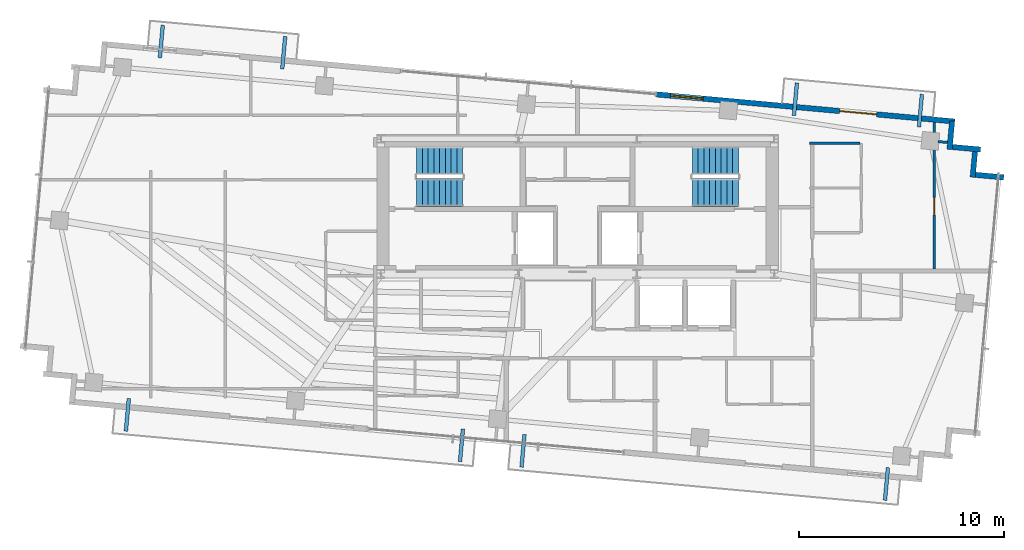
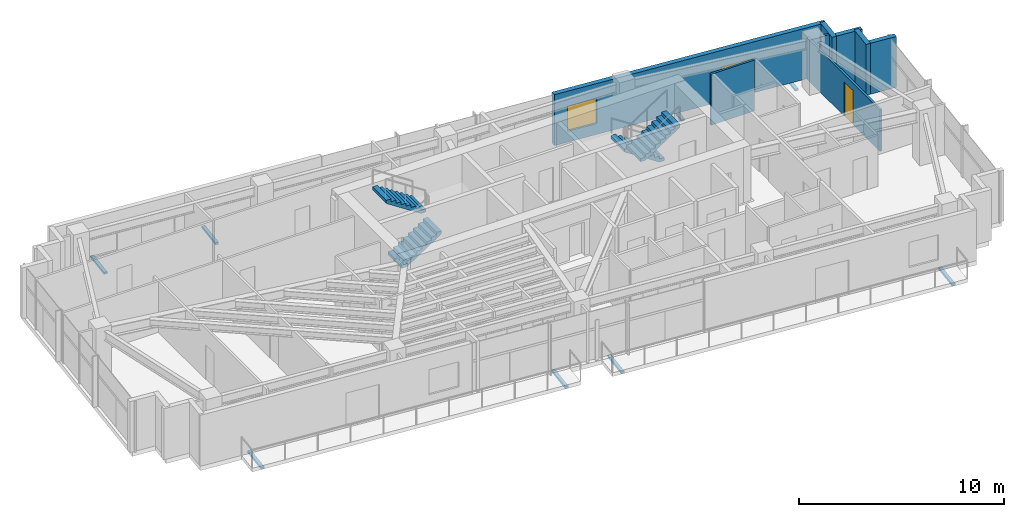
# One storey, part 19 of 22: 8 discrete accessories, 8 walls, 4 stair flights, 2 doors, 1 window, 3 openings, 2 elements without a shape of their own.
"""IFC4 building model written with IfcOpenShell, lengths in metres."""

import ifcopenshell
import ifcopenshell.guid

model = None  # the IFC model being written
_history = None  # IfcOwnerHistory: only IFC2X3 demands one
_inside = {}  # id of a spatial element -> (the spatial element, [elements in it])
_under = {}  # id of a project, library or spatial element -> (it, [spatial elements below it])
_declared = {}  # id of a project -> (the project, [libraries it declares])
_typed = {}  # id of a type object -> (the type object, [elements of that type])
_made_of = {}  # id of a material, layer set ... -> (it, [elements and type objects made of it])


def new_model(schema):
    """Start an empty IFC model of exactly this schema.

    Asked for "IFC4X3", IfcOpenShell would pick the latest addendum, in which some entities
    have other attributes; the version numbers below select the first issue.
    IFC2X3 requires an IfcOwnerHistory on every rooted entity: one is made here for all.
    """
    global model, _history
    if schema == "IFC4X3":
        model = ifcopenshell.file(schema_version=(4, 3, 0, 0))
    else:
        model = ifcopenshell.file(schema=schema)
    _inside.clear()
    _under.clear()
    _declared.clear()
    _typed.clear()
    _made_of.clear()
    _history = None
    if model.schema == "IFC2X3":
        org = make("IfcOrganization", Name="unknown")
        user = make(
            "IfcPersonAndOrganization",
            ThePerson=make("IfcPerson", FamilyName="unknown"),
            TheOrganization=org,
        )
        app = make(
            "IfcApplication",
            ApplicationDeveloper=org,
            Version="unknown",
            ApplicationFullName="unknown",
            ApplicationIdentifier="unknown",
        )
        _history = make(
            "IfcOwnerHistory",
            OwningUser=user,
            OwningApplication=app,
            ChangeAction="ADDED",
            CreationDate=0,
        )
    return model


def make(cls, **values):
    """One entity of the class cls with the attributes given. An attribute that is None is left unset."""
    return model.create_entity(
        cls, **{name: value for name, value in values.items() if value is not None}
    )


def rooted(cls, **values):
    """An entity with a GlobalId (a new one), such as an element, a storey or a relation."""
    return make(cls, GlobalId=ifcopenshell.guid.new(), OwnerHistory=_history, **values)


def si_unit(unit_type, name, prefix=None):
    """IfcSIUnit, for example si_unit("LENGTHUNIT", "METRE", prefix="MILLI")."""
    return make("IfcSIUnit", UnitType=unit_type, Prefix=prefix, Name=name)


def assignment(units):
    """IfcUnitAssignment: the units of a project."""
    return None if units is None else make("IfcUnitAssignment", Units=units)


def point(xyz):
    """IfcCartesianPoint."""
    return None if xyz is None else make("IfcCartesianPoint", Coordinates=xyz)


def direction(xyz):
    """IfcDirection."""
    return None if xyz is None else make("IfcDirection", DirectionRatios=xyz)


def frame(location, z_axis=None, x_axis=None):
    """IfcAxis2Placement3D, a coordinate frame: its origin and axes. An axis left out is left unset."""
    return make(
        "IfcAxis2Placement3D",
        Location=point(location),
        Axis=direction(z_axis),
        RefDirection=direction(x_axis),
    )


def frame_2d(location, x_axis=None):
    """IfcAxis2Placement2D, a coordinate frame in the plane: its origin and x axis."""
    return make(
        "IfcAxis2Placement2D", Location=point(location), RefDirection=direction(x_axis)
    )


def origin():
    """The frame at (0, 0, 0) with its axes left unset."""
    return frame((0.0, 0.0, 0.0))


def origin_2d():
    """The frame at (0, 0) in the plane with its x axis left unset."""
    return frame_2d((0.0, 0.0))


def place(relative_to, where):
    """IfcLocalPlacement: puts the frame where relative to a parent placement (None: the world)."""
    return make(
        "IfcLocalPlacement", PlacementRelTo=relative_to, RelativePlacement=where
    )


def context(
    kind, dimensions, precision=None, world=None, true_north=None, identifier=None
):
    """IfcGeometricRepresentationContext, for example the 3D "Model" context."""
    return make(
        "IfcGeometricRepresentationContext",
        ContextIdentifier=identifier,
        ContextType=kind,
        CoordinateSpaceDimension=dimensions,
        Precision=precision,
        WorldCoordinateSystem=world,
        TrueNorth=true_north,
    )


def subcontext(parent, identifier, kind, view, scale=None):
    """IfcGeometricRepresentationSubContext, for example "Body" below "Model"."""
    return make(
        "IfcGeometricRepresentationSubContext",
        ContextIdentifier=identifier,
        ContextType=kind,
        ParentContext=parent,
        TargetScale=scale,
        TargetView=view,
    )


def project(units=None, contexts=None):
    """IfcProject with its units and contexts."""
    return rooted(
        "IfcProject",
        Name="project",
        RepresentationContexts=contexts,
        UnitsInContext=assignment(units),
    )


def spatial(cls, under=None, at=None, **own):
    """A site, building, storey or space (cls), placed at a placement, below another one or the project."""
    s = rooted(cls, ObjectPlacement=at, **own)
    if under is not None:
        _under.setdefault(under.id(), (under, []))[1].append(s)
    return s


def polyline(points):
    """IfcPolyline through the points."""
    return make("IfcPolyline", Points=[point(p) for p in points])


def profile(cls, at=None, kind="AREA", **sizes):
    """A parametric profile (cls). Its sizes go by their IFC names, for example OverallWidth=200.0."""
    return make(cls, ProfileType=kind, Position=at, **sizes)


def rectangle(**sizes):
    """IfcRectangleProfileDef."""
    return profile("IfcRectangleProfileDef", **sizes)


def outline(outer, holes=None, kind="AREA"):
    """IfcArbitraryClosedProfileDef: a profile drawn as a closed curve; with holes, ...WithVoids."""
    if holes is None:
        return make("IfcArbitraryClosedProfileDef", ProfileType=kind, OuterCurve=outer)
    return make(
        "IfcArbitraryProfileDefWithVoids",
        ProfileType=kind,
        OuterCurve=outer,
        InnerCurves=holes,
    )


def extrude(swept, where, along, depth):
    """IfcExtrudedAreaSolid: the profile swept, set in the frame where, extruded along a direction by depth."""
    return make(
        "IfcExtrudedAreaSolid",
        SweptArea=swept,
        Position=where,
        ExtrudedDirection=direction(along),
        Depth=depth,
    )


def shape(context_of_items, identifier, shape_type, items):
    """IfcShapeRepresentation: the items that make up one representation, for example the "Body"."""
    return make(
        "IfcShapeRepresentation",
        ContextOfItems=context_of_items,
        RepresentationIdentifier=identifier,
        RepresentationType=shape_type,
        Items=items,
    )


def source(mapping_origin, context_of_items, identifier, shape_type, items):
    """IfcRepresentationMap: a shape defined once, which mapped items show again and again."""
    return make(
        "IfcRepresentationMap",
        MappingOrigin=mapping_origin,
        MappedRepresentation=shape(context_of_items, identifier, shape_type, items),
    )


def transform(
    local_origin,
    x_axis=None,
    y_axis=None,
    z_axis=None,
    scale=None,
    scale2=None,
    scale3=None,
    uniform=True,
):
    """IfcCartesianTransformationOperator3D, or its non-uniform kind. x_axis, y_axis, z_axis: its Axis1, 2, 3."""
    if uniform:
        return make(
            "IfcCartesianTransformationOperator3D",
            Axis1=direction(x_axis),
            Axis2=direction(y_axis),
            LocalOrigin=point(local_origin),
            Scale=scale,
            Axis3=direction(z_axis),
        )
    return make(
        "IfcCartesianTransformationOperator3DnonUniform",
        Axis1=direction(x_axis),
        Axis2=direction(y_axis),
        LocalOrigin=point(local_origin),
        Scale=scale,
        Axis3=direction(z_axis),
        Scale2=scale2,
        Scale3=scale3,
    )


def mapped(mapping_source, mapping_target):
    """IfcMappedItem: shows the shape of a source again, moved by a transform."""
    return make(
        "IfcMappedItem", MappingSource=mapping_source, MappingTarget=mapping_target
    )


def material(Name=None, Category=None):
    """IfcMaterial."""
    return make("IfcMaterial", Name=Name, Category=Category)


def layer(
    of_material, thickness, ventilated=None, Name=None, Category=None, Priority=None
):
    """IfcMaterialLayer: one layer of a wall or slab, of a material (None: an air gap)."""
    return make(
        "IfcMaterialLayer",
        Material=of_material,
        LayerThickness=thickness,
        IsVentilated=ventilated,
        Name=Name,
        Category=Category,
        Priority=Priority,
    )


def layer_set(layers, Name=None):
    """IfcMaterialLayerSet."""
    return make("IfcMaterialLayerSet", MaterialLayers=layers, LayerSetName=Name)


def made_of(thing, what):
    """Note that an element or type object is made of a material, layer set ...; save() writes the relation."""
    if what is not None:
        _made_of.setdefault(what.id(), (what, []))[1].append(thing)
    return thing


def type_object(cls, material=None, **own):
    """A type object (cls), such as IfcWallType, which elements share."""
    return made_of(rooted(cls, **own), material)


def type_shapes(of_type, sources):
    """Give a type object the sources (RepresentationMaps) that its elements show as mapped items."""
    of_type.RepresentationMaps = sources


def element(
    cls,
    number,
    at=None,
    inside=None,
    cuts=None,
    type_object=None,
    material=None,
    context=None,
    identifier="Body",
    shape_type=None,
    held_by="IfcProductDefinitionShape",
    body=None,
    shapes=None,
    **own,
):
    """One element of the class cls, such as IfcWall. Its Tag is "e" and its number.

    at: its placement. inside: the storey or other place that contains it. cuts: it is an
    opening in that element (IfcRelVoidsElement). A single representation is given by context,
    identifier, shape_type and body (its items); several are given by shapes. held_by: the class
    of the entity that holds the representations. save() writes the other relations.
    """
    e = rooted(cls, Tag="e%d" % number, ObjectPlacement=at, **own)
    if body is not None:
        shapes = [shape(context, identifier, shape_type, body)]
    if shapes is not None:
        e.Representation = make(held_by, Representations=shapes)
    if inside is not None:
        _inside.setdefault(inside.id(), (inside, []))[1].append(e)
    if cuts is not None:
        rooted(
            "IfcRelVoidsElement", RelatingBuildingElement=cuts, RelatedOpeningElement=e
        )
    if type_object is not None:
        _typed.setdefault(type_object.id(), (type_object, []))[1].append(e)
    return made_of(e, material)


def fill(opening, filler):
    """IfcRelFillsElement: the door or window that sits in an opening."""
    return rooted(
        "IfcRelFillsElement",
        RelatingOpeningElement=opening,
        RelatedBuildingElement=filler,
    )


def aggregate(whole, parts):
    """IfcRelAggregates: a whole, such as a stair, and the parts it consists of."""
    return rooted("IfcRelAggregates", RelatingObject=whole, RelatedObjects=parts)


def save(model, path):
    """Write the relations noted so far, then the file.

    IfcRelAggregates (storeys below a building ...), IfcRelContainedInSpatialStructure (elements
    in a storey), IfcRelDefinesByType, IfcRelAssociatesMaterial and IfcRelDeclares: one each for
    every whole, place, type object, material and project.
    """
    for whole, parts in _under.values():
        aggregate(whole, parts)
    for where, things in _inside.values():
        rooted(
            "IfcRelContainedInSpatialStructure",
            RelatedElements=things,
            RelatingStructure=where,
        )
    for kind, things in _typed.values():
        rooted("IfcRelDefinesByType", RelatedObjects=things, RelatingType=kind)
    for what, things in _made_of.values():
        rooted("IfcRelAssociatesMaterial", RelatedObjects=things, RelatingMaterial=what)
    for by, libraries in _declared.values():
        rooted("IfcRelDeclares", RelatingContext=by, RelatedDefinitions=libraries)
    model.write(path)


model = new_model("IFC4")

# Units and contexts
model_context = context("Model", 3, precision=1e-05, world=origin(), true_north=direction((0.0, 1.0)))
body_context = subcontext(model_context, "Body", "Model", "MODEL_VIEW")
ifc_project = project(units=[si_unit("LENGTHUNIT", "METRE"), si_unit("AREAUNIT", "SQUARE_METRE"), si_unit("VOLUMEUNIT", "CUBIC_METRE"), si_unit("PLANEANGLEUNIT", "RADIAN"), si_unit("MASSUNIT", "GRAM", prefix="KILO")], contexts=[model_context])

# Site, building, storey
site_placement = place(None, origin())
site = spatial("IfcSite", under=ifc_project, at=site_placement, CompositionType="ELEMENT")
building_placement = place(site_placement, origin())
building = spatial("IfcBuilding", under=site, at=building_placement, Name="Astriad Promenade Condominiums", CompositionType="ELEMENT")
storey_placement = place(building_placement, frame((0.0, 0.0, 236.39990234375)))
storey = spatial("IfcBuildingStorey", under=building, at=storey_placement, Name="L68", CompositionType="ELEMENT", Elevation=236.39990234375)

# Wall, openings, door, window
ifc_material_1 = material(Name="Precast concrete C50/60", Category="concrete")
ifc_layer_1 = layer(ifc_material_1, 0.260009765625)
ifc_layer_set_1 = layer_set([ifc_layer_1], Name="Precast concrete C50/60")
wall_type_1 = type_object("IfcWallType", Name="WALL-EXT-TWR-260", PredefinedType="STANDARD", material=ifc_layer_set_1)
wall_1_placement = place(storey_placement, frame((39.839111328125, 26.16552734375, 0.0), z_axis=(0.0, 0.0, 1.0), x_axis=(0.995884447498, -0.090632043071, 0.0)))
wall_1 = element("IfcWall", 1, at=wall_1_placement, inside=storey, type_object=wall_type_1, Name="W-EXT-L68-N2", PredefinedType="STANDARD", context=body_context, shape_type="SweptSolid", body=[
    extrude(rectangle(XDim=14.6298828125, YDim=0.260009765625, at=frame_2d((7.31494140625, 0.0))), origin(), (0.0, 0.0, 1.0), 3.0400390625),
])
opening_1_placement = place(wall_1_placement, frame((9.0, 0.0, 0.0)))
opening_1 = element("IfcOpeningElement", 2, at=opening_1_placement, cuts=wall_1, Name="Opening BD-1822-SLD", PredefinedType="OPENING", context=body_context, shape_type="SweptSolid", body=[
    extrude(rectangle(XDim=1.800048828125, YDim=2.06005859375, at=frame_2d((0.89990234375, 1.030029296875))), frame((0.0, 0.139892578125, 0.0), z_axis=(0.0, -1.0, 0.0), x_axis=(1.0, 0.0, 0.0)), (0.0, 0.0, 1.0), 0.280029296875),
])
opening_2_placement = place(wall_1_placement, frame((0.699951171875, 0.0, 0.64990234375)))
opening_2 = element("IfcOpeningElement", 3, at=opening_2_placement, cuts=wall_1, Name="Opening WIN-TWR-1620", PredefinedType="OPENING", context=body_context, shape_type="SweptSolid", body=[
    extrude(rectangle(XDim=1.60009765625, YDim=1.5, at=frame_2d((0.800048828125, 0.75))), frame((0.0, 0.139892578125, 0.0), z_axis=(0.0, -1.0, 0.0), x_axis=(1.0, 0.0, 0.0)), (0.0, 0.0, 1.0), 0.280029296875),
])
ifc_material_2 = material(Name="Thermally Broken Aluminium Sliding Balcony Door", Category="aluminium")
door_type_1 = type_object("IfcDoorType", Name="BD-1822-SLD", OperationType="NOTDEFINED", PredefinedType="DOOR", material=ifc_material_2)
shared_shape_1 = source(origin(), body_context, "Body", "SweptSolid", [
    extrude(rectangle(XDim=1.800048828125, YDim=2.06005859375, at=frame_2d((0.89990234375, 1.030029296875))), frame((0.0, 0.02490234375, 0.0), z_axis=(0.0, -1.0, 0.0), x_axis=(1.0, 0.0, 0.0)), (0.0, 0.0, 1.0), 0.050048828125),
])
type_shapes(door_type_1, [shared_shape_1])
door_1_placement = place(opening_1_placement, origin())
door_1 = element("IfcDoor", 4, at=door_1_placement, inside=storey, type_object=door_type_1, Name="BD-L68-NE", OperationType="SLIDING_TO_RIGHT", OverallHeight=2.06005859375, OverallWidth=1.800048828125, PredefinedType="DOOR", context=body_context, shape_type="MappedRepresentation", body=[
    mapped(shared_shape_1, transform((0.0, 0.0, 0.0), scale=1.0)),
])
fill(opening_1, door_1)
ifc_material_3 = material(Name="Dark Tinted Triple-Glazed Aluminium Window", Category="aluminium")
window_type = type_object("IfcWindowType", Name="WIN-TWR-1620", PartitioningType="SINGLE_PANEL", PredefinedType="WINDOW", material=ifc_material_3)
shared_shape_2 = source(origin(), body_context, "Body", "SweptSolid", [
    extrude(rectangle(XDim=1.60009765625, YDim=1.5, at=frame_2d((0.800048828125, 0.75))), frame((0.0, 0.030029296875, 0.0), z_axis=(0.0, -1.0, 0.0), x_axis=(1.0, 0.0, 0.0)), (0.0, 0.0, 1.0), 0.06005859375),
])
type_shapes(window_type, [shared_shape_2])
window_placement = place(opening_2_placement, origin())
window = element("IfcWindow", 5, at=window_placement, inside=storey, type_object=window_type, Name="WIN-L68-NE", OverallHeight=1.5, OverallWidth=1.60009765625, PartitioningType="SINGLE_PANEL", PredefinedType="WINDOW", context=body_context, shape_type="MappedRepresentation", body=[
    mapped(shared_shape_2, transform((0.0, 0.0, 0.0), scale=1.0)),
])
fill(opening_2, window)

# Walls
wall_2_placement = place(storey_placement, frame((54.28076171875, 24.866455078125, 0.0), z_axis=(0.0, 0.0, 1.0), x_axis=(-0.090661991521, -0.995881721538, 0.0)))
element("IfcWall", 6, at=wall_2_placement, inside=storey, type_object=wall_type_1, Name="W-SER-L68-09", PredefinedType="STANDARD", context=body_context, shape_type="SweptSolid", body=[
    extrude(rectangle(XDim=1.39501953125, YDim=0.260009765625, at=frame_2d((0.697509765625, 0.0))), origin(), (0.0, 0.0, 1.0), 3.0400390625),
])
for number, where, z_axis, x_axis, name in (
    (7, (54.280517578125, 23.59619140625, 0.0), (0.0, 0.0, 1.0), (0.995883159782, -0.090646191665, 0.0), "W-SER-L68-10"),
    (8, (55.412353515625, 23.50830078125, 0.0), (0.0, 0.0, 1.0), (-0.090646191665, -0.995883159782, 0.0), "W-SER-L68-11"),
    (9, (55.412109375, 22.238037109375, 0.0), (0.0, 0.0, 1.0), (0.995883159782, -0.090646191665, 0.0), "W-SER-L68-12"),
):
    element("IfcWall", number, at=place(storey_placement, frame(where, z_axis=z_axis, x_axis=x_axis)), inside=storey, type_object=wall_type_1, Name=name, PredefinedType="STANDARD", context=body_context, shape_type="SweptSolid", body=[
        extrude(rectangle(XDim=1.395263671875, YDim=0.260009765625, at=frame_2d((0.69775390625, 0.0))), origin(), (0.0, 0.0, 1.0), 3.0400390625),
    ])
ifc_material_4 = material(Name="Acoustic Metal-Stud Gypsum Partition")
ifc_layer_2 = layer(ifc_material_4, 0.1201171875)
ifc_layer_set_2 = layer_set([ifc_layer_2], Name="Acoustic Metal-Stud Gypsum Partition")
wall_type_2 = type_object("IfcWallType", Name="WALL-PART-120", PredefinedType="PARTITIONING", material=ifc_layer_set_2)
wall_3_placement = place(storey_placement, frame((47.330078125, 23.77001953125, 0.0), z_axis=(0.0, 0.0, 1.0), x_axis=(1.0, 0.0, 0.0)))
element("IfcWall", 10, at=wall_3_placement, inside=storey, type_object=wall_type_2, Name="PT-L68-E2-PN", PredefinedType="PARTITIONING", context=body_context, shape_type="SweptSolid", body=[
    extrude(rectangle(XDim=2.4580078125, YDim=0.1201171875, at=frame_2d((1.22900390625, 0.0))), origin(), (0.0, 0.0, 1.0), 3.0400390625),
])

# Wall, opening, door
wall_4_placement = place(storey_placement, frame((53.4189453125, 17.652099609375, 0.0), z_axis=(0.0, 0.0, 1.0), x_axis=(0.0, 1.0, 0.0)))
wall_4 = element("IfcWall", 11, at=wall_4_placement, inside=storey, type_object=wall_type_2, Name="PT-L68-E2-B1", PredefinedType="PARTITIONING", context=body_context, shape_type="SweptSolid", body=[
    extrude(rectangle(XDim=7.14501953125, YDim=0.1201171875, at=frame_2d((3.572509765625, 0.0))), origin(), (0.0, 0.0, 1.0), 2.482666015625),
])
opening_3_placement = place(wall_4_placement, frame((2.635986328125, 0.0, 0.0)))
opening_3 = element("IfcOpeningElement", 12, at=opening_3_placement, cuts=wall_4, Name="Opening D-INT-085", PredefinedType="OPENING", context=body_context, shape_type="SweptSolid", body=[
    extrude(rectangle(XDim=0.85009765625, YDim=2.050048828125, at=frame_2d((0.425048828125, 1.02490234375))), frame((0.0, 0.070068359375, 0.0), z_axis=(0.0, -1.0, 0.0), x_axis=(1.0, 0.0, 0.0)), (0.0, 0.0, 1.0), 0.14013671875),
])
ifc_material_5 = material(Name="Painted Solid-Core Timber Room Door", Category="wood")
door_type_2 = type_object("IfcDoorType", Name="D-INT-085", OperationType="NOTDEFINED", PredefinedType="DOOR", material=ifc_material_5)
shared_shape_3 = source(origin(), body_context, "Body", "SweptSolid", [
    extrude(rectangle(XDim=0.85009765625, YDim=2.050048828125, at=frame_2d((0.425048828125, 1.02490234375))), frame((0.0, 0.02490234375, 0.0), z_axis=(0.0, -1.0, 0.0), x_axis=(1.0, 0.0, 0.0)), (0.0, 0.0, 1.0), 0.050048828125),
])
type_shapes(door_type_2, [shared_shape_3])
door_2_placement = place(opening_3_placement, origin())
door_2 = element("IfcDoor", 13, at=door_2_placement, inside=storey, type_object=door_type_2, Name="D-BD1-L68-E2", OperationType="SINGLE_SWING_RIGHT", OverallHeight=2.050048828125, OverallWidth=0.85009765625, PredefinedType="DOOR", context=body_context, shape_type="MappedRepresentation", body=[
    mapped(shared_shape_3, transform((0.0, 0.0, 0.0), scale=1.0)),
])
fill(opening_3, door_2)

# Wall
wall_5_placement = place(storey_placement, frame((53.5966796875, 23.859375, 0.0), z_axis=(0.0, 0.0, 1.0), x_axis=(0.995884462012, -0.090631883588, 0.0)))
element("IfcWall", 14, at=wall_5_placement, inside=storey, type_object=wall_type_2, Name="PT-PIL-L68-PC10-17", PredefinedType="PARTITIONING", context=body_context, shape_type="SweptSolid", body=[
    extrude(rectangle(XDim=0.4580078125, YDim=0.1201171875, at=frame_2d((0.22900390625, 0.0))), origin(), (0.0, 0.0, 1.0), 3.0400390625),
])

# Stair, stair flights
ifc_material_6 = material(Name="Concrete C50/60", Category="concrete")
stair_type = type_object("IfcStairType", Name="STR-CORE-1350", PredefinedType="HALF_TURN_STAIR", material=ifc_material_6)
stair_1_placement = place(storey_placement, origin())
stair_1 = element("IfcStair", 15, at=stair_1_placement, inside=storey, type_object=stair_type, Name="L68 Enclosed Core Exit Stair ST-1", PredefinedType="HALF_TURN_STAIR")
stair_flight_type = type_object("IfcStairFlightType", Name="SFL-CORE-1350", PredefinedType="STRAIGHT", material=ifc_material_6)
shared_shape_4 = source(origin(), body_context, "Body", "SweptSolid", [
    extrude(outline(polyline([(0.0, 0.0), (0.0, 0.183349609375), (0.280029296875, 0.183349609375), (0.280029296875, 0.36669921875), (0.56005859375, 0.36669921875), (0.56005859375, 0.550048828125), (0.840087890625, 0.550048828125), (0.840087890625, 0.7333984375), (1.1201171875, 0.7333984375), (1.1201171875, 0.916748046875), (1.39990234375, 0.916748046875), (1.39990234375, 1.10009765625), (1.679931640625, 1.10009765625), (1.679931640625, 1.283447265625), (1.9599609375, 1.283447265625), (1.9599609375, 1.466552734375), (2.239990234375, 1.466552734375), (2.239990234375, 1.64990234375), (2.239990234375, 1.28759765625), (0.273681640625, 0.0), (0.0, 0.0)])), frame((0.0, 0.675048828125, 0.0), z_axis=(0.0, -1.0, 0.0), x_axis=(1.0, 0.0, 0.0)), (0.0, 0.0, 1.0), 1.35009765625),
])
type_shapes(stair_flight_type, [shared_shape_4])
stair_flight_1_placement = place(storey_placement, frame((28.14990234375, 21.375, 0.0), z_axis=(0.0, 0.0, 1.0), x_axis=(1.0, 0.0, 0.0)))
stair_flight_1 = element("IfcStairFlight", 16, at=stair_flight_1_placement, type_object=stair_flight_type, Name="ST-1 flight 1", NumberOfRisers=9, NumberOfTreads=8, PredefinedType="STRAIGHT", RiserHeight=0.183333333, TreadLength=0.28, context=body_context, shape_type="MappedRepresentation", body=[
    mapped(shared_shape_4, transform((0.0, 0.0, 0.0), scale=1.0)),
])
stair_flight_2_placement = place(storey_placement, frame((30.389892578125, 22.925048828125, 1.650146484375), z_axis=(0.0, 0.0, 1.0), x_axis=(-1.0, 0.0, 0.0)))
stair_flight_2 = element("IfcStairFlight", 17, at=stair_flight_2_placement, type_object=stair_flight_type, Name="ST-1 flight 2", NumberOfRisers=9, NumberOfTreads=8, PredefinedType="STRAIGHT", RiserHeight=0.183333333, TreadLength=0.28, context=body_context, shape_type="MappedRepresentation", body=[
    mapped(shared_shape_4, transform((0.0, 0.0, 0.0), scale=1.0)),
])
aggregate(stair_1, [stair_flight_1, stair_flight_2])

stair_2_placement = place(storey_placement, origin())
stair_2 = element("IfcStair", 18, at=stair_2_placement, inside=storey, type_object=stair_type, Name="L68 Enclosed Core Exit Stair ST-2", PredefinedType="HALF_TURN_STAIR")
stair_flight_3_placement = place(storey_placement, frame((43.85009765625, 22.925048828125, 0.0), z_axis=(0.0, 0.0, 1.0), x_axis=(-1.0, 0.0, 0.0)))
stair_flight_3 = element("IfcStairFlight", 19, at=stair_flight_3_placement, type_object=stair_flight_type, Name="ST-2 flight 1", NumberOfRisers=9, NumberOfTreads=8, PredefinedType="STRAIGHT", RiserHeight=0.183333333, TreadLength=0.28, context=body_context, shape_type="MappedRepresentation", body=[
    mapped(shared_shape_4, transform((0.0, 0.0, 0.0), scale=1.0)),
])
stair_flight_4_placement = place(storey_placement, frame((41.610107421875, 21.375, 1.650146484375), z_axis=(0.0, 0.0, 1.0), x_axis=(1.0, 0.0, 0.0)))
stair_flight_4 = element("IfcStairFlight", 20, at=stair_flight_4_placement, type_object=stair_flight_type, Name="ST-2 flight 2", NumberOfRisers=9, NumberOfTreads=8, PredefinedType="STRAIGHT", RiserHeight=0.183333333, TreadLength=0.28, context=body_context, shape_type="MappedRepresentation", body=[
    mapped(shared_shape_4, transform((0.0, 0.0, 0.0), scale=1.0)),
])
aggregate(stair_2, [stair_flight_3, stair_flight_4])

# Discrete accessories
ifc_material_7 = material(Name="Steel ASTM A572 Grade 50", Category="steel")
discrete_accessory_type = type_object("IfcDiscreteAccessoryType", Name="STEEL BALCONY OUTRIGGER BRACKET", PredefinedType="BRACKET", material=ifc_material_7)
shared_shape_5 = source(origin(), body_context, "Body", "SweptSolid", [
    extrude(rectangle(XDim=1.60009765625, YDim=0.179931640625, at=origin_2d()), origin(), (0.0, 0.0, 1.0), 0.1220703125),
])
type_shapes(discrete_accessory_type, [shared_shape_5])
for number, where, z_axis, x_axis, name in (
    (21, (14.02587890625, 10.520751953125, -0.33984375), (0.0, 0.0, 1.0), (-0.090632580198, -0.995884398616, 0.0), "Balcony Outrigger Bracket BAL-L68-SW-A"),
    (22, (30.33349609375, 9.03662109375, -0.33984375), (0.0, 0.0, 1.0), (-0.090632580198, -0.995884398616, 0.0), "Balcony Outrigger Bracket BAL-L68-SW-B"),
    (23, (33.337158203125, 8.76318359375, -0.33984375), (0.0, 0.0, 1.0), (-0.090632580198, -0.995884398616, 0.0), "Balcony Outrigger Bracket BAL-L68-SE-A"),
    (24, (51.076904296875, 7.14892578125, -0.33984375), (0.0, 0.0, 1.0), (-0.090632580198, -0.995884398616, 0.0), "Balcony Outrigger Bracket BAL-L68-SE-B"),
    (25, (15.684326171875, 28.74560546875, -0.33984375), (0.0, 0.0, 1.0), (0.090632580198, 0.995884398616, 0.0), "Balcony Outrigger Bracket BAL-L68-NW-A"),
    (26, (21.65869140625, 28.20166015625, -0.33984375), (0.0, 0.0, 1.0), (0.090632580198, 0.995884398616, 0.0), "Balcony Outrigger Bracket BAL-L68-NW-B"),
    (27, (46.635498046875, 25.9287109375, -0.33984375), (0.0, 0.0, 1.0), (0.090632580198, 0.995884398616, 0.0), "Balcony Outrigger Bracket BAL-L68-NE-A"),
    (28, (52.7353515625, 25.37353515625, -0.33984375), (0.0, 0.0, 1.0), (0.090632580198, 0.995884398616, 0.0), "Balcony Outrigger Bracket BAL-L68-NE-B"),
):
    element("IfcDiscreteAccessory", number, at=place(storey_placement, frame(where, z_axis=z_axis, x_axis=x_axis)), inside=storey, type_object=discrete_accessory_type, Name=name, PredefinedType="BRACKET", context=body_context, shape_type="MappedRepresentation", body=[
        mapped(shared_shape_5, transform((0.0, 0.0, 0.0), scale=1.0)),
    ])

save(model, "model.ifc")
